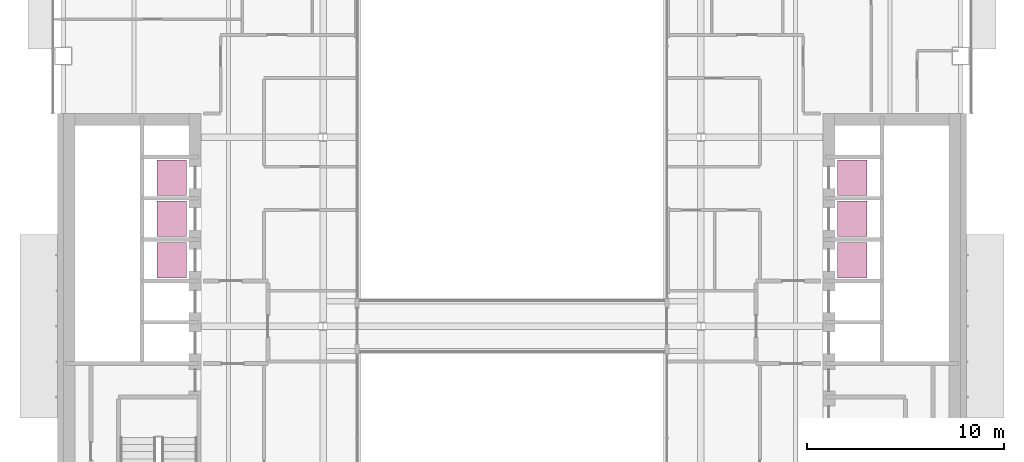
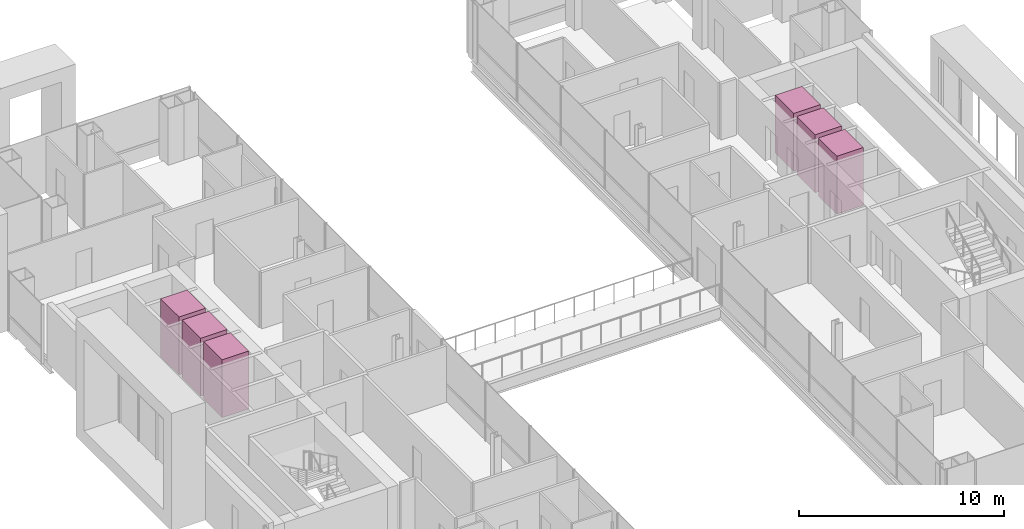
# One storey, part 20 of 20: 6 transport elements.
"""IFC4 building model written with IfcOpenShell, lengths in metres."""

from ifc_helpers import new_model, si_unit, direction, frame, origin, origin_2d, place, context, subcontext, project, spatial, rectangle, extrude, material, type_object, element, save


model = new_model("IFC4")

# Units and contexts
model_context = context("Model", 3, precision=1e-05, world=origin(), true_north=direction((0.0, 1.0)))
body_context = subcontext(model_context, "Body", "Model", "MODEL_VIEW")
ifc_project = project(units=[si_unit("LENGTHUNIT", "METRE"), si_unit("AREAUNIT", "SQUARE_METRE"), si_unit("VOLUMEUNIT", "CUBIC_METRE"), si_unit("PLANEANGLEUNIT", "RADIAN"), si_unit("MASSUNIT", "GRAM", prefix="KILO")], contexts=[model_context])

# Site, building, storey
site_placement = place(None, origin())
site = spatial("IfcSite", under=ifc_project, at=site_placement, CompositionType="ELEMENT")
building_placement = place(site_placement, origin())
building = spatial("IfcBuilding", under=site, at=building_placement, Name="Cobrizo Arcos Hotel Tower", CompositionType="ELEMENT")
storey_placement = place(building_placement, frame((0.0, 0.0, 124.0)))
storey = spatial("IfcBuildingStorey", under=building, at=storey_placement, Name="L31", CompositionType="ELEMENT", Elevation=124.0)

# Transport elements
ifc_material = material(Name="Stainless steel car", Category="steel")
transport_element_type = type_object("IfcTransportElementType", Name="Lift car Low 1.8x1.5", PredefinedType="ELEVATOR", material=ifc_material)
for number, where, z_axis, x_axis, name in (
    (1, (-17.300048828125, 3.35009765625, 0.0), (0.0, 0.0, 1.0), (1.0, 0.0, 0.0), "Low-rise passenger lift W1"),
    (2, (-17.300048828125, 5.449951171875, 0.0), (0.0, 0.0, 1.0), (1.0, 0.0, 0.0), "Low-rise passenger lift W2"),
    (3, (-17.300048828125, 7.550048828125, 0.0), (0.0, 0.0, 1.0), (1.0, 0.0, 0.0), "Low-rise passenger lift W3"),
    (4, (17.300048828125, 3.35009765625, 0.0), (0.0, 0.0, 1.0), (1.0, 0.0, 0.0), "Low-rise passenger lift E1"),
    (5, (17.300048828125, 5.449951171875, 0.0), (0.0, 0.0, 1.0), (1.0, 0.0, 0.0), "Low-rise passenger lift E2"),
    (6, (17.300048828125, 7.550048828125, 0.0), (0.0, 0.0, 1.0), (1.0, 0.0, 0.0), "Low-rise passenger lift E3"),
):
    element("IfcTransportElement", number, at=place(storey_placement, frame(where, z_axis=z_axis, x_axis=x_axis)), inside=storey, type_object=transport_element_type, Name=name, PredefinedType="ELEVATOR", context=body_context, shape_type="SweptSolid", body=[
        extrude(rectangle(XDim=1.5, YDim=1.800048828125, at=origin_2d()), origin(), (0.0, 0.0, 1.0), 3.449951171875),
    ])

save(model, "model.ifc")
